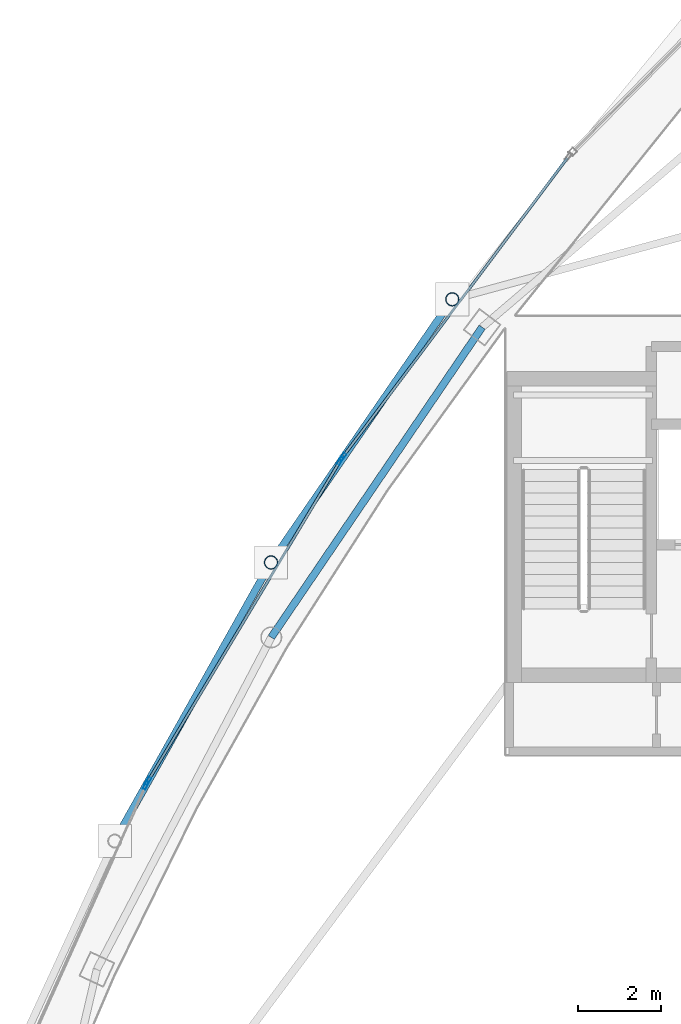
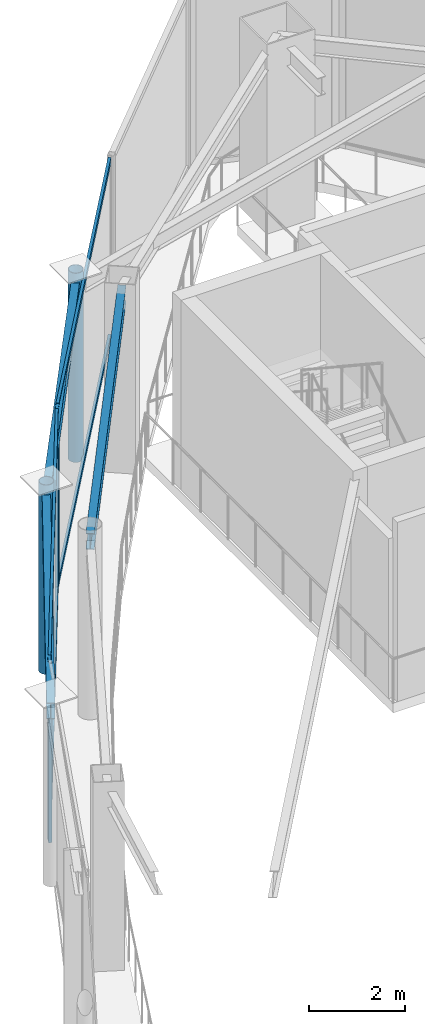
# One storey, part 8 of 19: 10 members, 3 beams, 3 elements without a shape of their own.
"""IFC4 building model written with IfcOpenShell, lengths in metres."""

from ifc_helpers import new_model, si_unit, direction, frame, origin, origin_2d, place, context, subcontext, project, spatial, hollow_rectangle, hollow_circle, i_section, extrude, material, layer, layer_set, material_profile, profile_set, type_object, element, aggregate, save


model = new_model("IFC4")

# Units and contexts
model_context = context("Model", 3, precision=1e-05, world=origin(), true_north=direction((0.0, 1.0)))
body_context = subcontext(model_context, "Body", "Model", "MODEL_VIEW")
ifc_project = project(units=[si_unit("LENGTHUNIT", "METRE"), si_unit("AREAUNIT", "SQUARE_METRE"), si_unit("VOLUMEUNIT", "CUBIC_METRE"), si_unit("PLANEANGLEUNIT", "RADIAN"), si_unit("MASSUNIT", "GRAM", prefix="KILO")], contexts=[model_context])

# Site, building, storey
site_placement = place(None, origin())
site = spatial("IfcSite", under=ifc_project, at=site_placement, CompositionType="ELEMENT")
building_placement = place(site_placement, origin())
building = spatial("IfcBuilding", under=site, at=building_placement, Name="Orvanel Arch Residences", CompositionType="ELEMENT")
storey_placement = place(building_placement, frame((0.0, 0.0, 290.89990234375)))
storey = spatial("IfcBuildingStorey", under=building, at=storey_placement, Name="L82", CompositionType="ELEMENT", Elevation=290.89990234375)

# Curtain wall, member
ifc_material_1 = material(Name="Bronze-anodised aluminium AA6063-T6", Category="aluminium")
ifc_layer = layer(ifc_material_1, 0.2099609375)
ifc_layer_set = layer_set([ifc_layer], Name="Bronze-anodised aluminium AA6063-T6")
curtain_wall_type = type_object("IfcCurtainWallType", Name="CW7-TOP-SYS", PredefinedType="NOTDEFINED", material=ifc_layer_set)
curtain_wall_1_placement = place(storey_placement, origin())
curtain_wall_1 = element("IfcCurtainWall", 1, at=curtain_wall_1_placement, inside=storey, type_object=curtain_wall_type, Name="L82 CW7-TOP-SYS Unitised Curtain Wall", PredefinedType="NOTDEFINED")
ifc_material_profile_1 = material_profile(ifc_material_1, hollow_rectangle(XDim=0.074951171875, YDim=0.199951171875, WallThickness=0.0048828125, at=origin_2d()), Name="ALU200x75x5")
ifc_profile_set_1 = profile_set([ifc_material_profile_1], Name="Bronze-anodised aluminium AA6063-T6")
member_type_1 = type_object("IfcMemberType", Name="MUL-200x75", PredefinedType="MULLION", material=ifc_profile_set_1)
member_1_placement = place(storey_placement, frame((22.29052734375, 31.988037109375, 0.0), z_axis=(0.0, 0.0, 1.0), x_axis=(0.799341985759, -0.600876351509, 0.0)))
member_1 = element("IfcMember", 2, at=member_1_placement, type_object=member_type_1, Name="CW-S7 mullion 2", PredefinedType="MULLION", context=body_context, shape_type="SweptSolid", body=[
    extrude(hollow_rectangle(XDim=0.074951171875, YDim=0.199951171875, WallThickness=0.0048828125, at=origin_2d()), origin(), (0.0, 0.0, 1.0), 4.550048828125),
])

# Curtain wall, members
curtain_wall_2_placement = place(storey_placement, origin())
curtain_wall_2 = element("IfcCurtainWall", 3, at=curtain_wall_2_placement, inside=storey, type_object=curtain_wall_type, Name="L82 CW7-TOP-SYS Unitised Curtain Wall", PredefinedType="NOTDEFINED")
member_2_placement = place(storey_placement, frame((22.226806640625, 31.892822265625, 0.0), z_axis=(0.0, 0.0, 1.0), x_axis=(0.857522096821, -0.514447133788, 0.0)))
member_2 = element("IfcMember", 4, at=member_2_placement, type_object=member_type_1, Name="CW-S7 mullion 1", PredefinedType="MULLION", context=body_context, shape_type="SweptSolid", body=[
    extrude(hollow_rectangle(XDim=0.074951171875, YDim=0.199951171875, WallThickness=0.0048828125, at=origin_2d()), origin(), (0.0, 0.0, 1.0), 4.550048828125),
])
member_3_placement = place(storey_placement, frame((17.597412109375, 24.17626953125, 0.0), z_axis=(0.0, 0.0, 1.0), x_axis=(0.857522096821, -0.514447133788, 0.0)))
member_3 = element("IfcMember", 5, at=member_3_placement, type_object=member_type_1, Name="CW-S7 mullion 2", PredefinedType="MULLION", context=body_context, shape_type="SweptSolid", body=[
    extrude(hollow_rectangle(XDim=0.074951171875, YDim=0.199951171875, WallThickness=0.0048828125, at=origin_2d()), origin(), (0.0, 0.0, 1.0), 4.550048828125),
])

# Curtain wall, member
curtain_wall_3_placement = place(storey_placement, origin())
curtain_wall_3 = element("IfcCurtainWall", 6, at=curtain_wall_3_placement, inside=storey, type_object=curtain_wall_type, Name="L82 CW7-TOP-SYS Unitised Curtain Wall", PredefinedType="NOTDEFINED")
member_4_placement = place(storey_placement, frame((17.544677734375, 24.07470703125, 0.0), z_axis=(0.0, 0.0, 1.0), x_axis=(0.912376147447, -0.40935286193, 0.0)))
member_4 = element("IfcMember", 7, at=member_4_placement, type_object=member_type_1, Name="CW-S7 mullion 1", PredefinedType="MULLION", context=body_context, shape_type="SweptSolid", body=[
    extrude(hollow_rectangle(XDim=0.074951171875, YDim=0.199951171875, WallThickness=0.0048828125, at=origin_2d()), origin(), (0.0, 0.0, 1.0), 4.550048828125),
])
aggregate(curtain_wall_3, [member_4])

# Beams
ifc_material_2 = material(Name="Structural steel AS/NZS 3679.1 Grade 300 (300 MPa)", Category="steel")
ifc_material_profile_2 = material_profile(ifc_material_2, i_section(OverallWidth=0.177978515625, OverallDepth=0.406005859375, WebThickness=0.0078125, FlangeThickness=0.0126953125, at=origin_2d()), Name="410UB59.7")
ifc_profile_set_2 = profile_set([ifc_material_profile_2], Name="Structural steel AS/NZS 3679.1 Grade 300 (300 MPa)")
beam_type_1 = type_object("IfcBeamType", Name="OB-410UB", PredefinedType="SPANDREL", material=ifc_profile_set_2)
beam_1_placement = place(storey_placement, frame((25.64794921875, 35.113037109375, 4.34716796875), z_axis=(-0.562154793153, -0.827032035978, 0.0), x_axis=(0.827032035978, -0.562154793153, 0.0)))
element("IfcBeam", 8, at=beam_1_placement, inside=storey, type_object=beam_type_1, Name="L82 Perimeter Spandrel Beam 11", PredefinedType="SPANDREL", context=body_context, shape_type="SweptSolid", body=[
    extrude(i_section(OverallWidth=0.177978515625, OverallDepth=0.406005859375, WebThickness=0.0078125, FlangeThickness=0.0126953125, at=origin_2d()), origin(), (0.0, 0.0, 1.0), 9.03466796875),
])
ifc_material_profile_3 = material_profile(ifc_material_2, i_section(OverallWidth=0.177978515625, OverallDepth=0.406005859375, WebThickness=0.0078125, FlangeThickness=0.0126953125, at=origin_2d()), Name="410UB59.7")
ifc_profile_set_3 = profile_set([ifc_material_profile_3], Name="Structural steel AS/NZS 3679.1 Grade 300 (300 MPa)")
beam_type_2 = type_object("IfcBeamType", Name="OB-410UB-EXT", PredefinedType="SPANDREL", material=ifc_profile_set_3)
beam_2_placement = place(storey_placement, frame((24.929931640625, 35.785888671875, 4.34716796875), z_axis=(-0.567346812798, -0.823478957842, 0.0), x_axis=(0.823478957842, -0.567346812798, 0.0)))
element("IfcBeam", 9, at=beam_2_placement, inside=storey, type_object=beam_type_2, Name="L82 Outer Perimeter Floor Ring Beam 01", PredefinedType="SPANDREL", context=body_context, shape_type="SweptSolid", body=[
    extrude(i_section(OverallWidth=0.177978515625, OverallDepth=0.406005859375, WebThickness=0.0078125, FlangeThickness=0.0126953125, at=origin_2d()), origin(), (0.0, 0.0, 1.0), 7.698974609375),
])
beam_3_placement = place(storey_placement, frame((20.56201171875, 29.446044921875, 4.34716796875), z_axis=(-0.489422203707, -0.872046963482, 0.0), x_axis=(0.872046963482, -0.489422203707, 0.0)))
element("IfcBeam", 10, at=beam_3_placement, inside=storey, type_object=beam_type_2, Name="L82 Outer Perimeter Floor Ring Beam 02", PredefinedType="SPANDREL", context=body_context, shape_type="SweptSolid", body=[
    extrude(i_section(OverallWidth=0.177978515625, OverallDepth=0.406005859375, WebThickness=0.0078125, FlangeThickness=0.0126953125, at=origin_2d()), origin(), (0.0, 0.0, 1.0), 7.697021484375),
])

# Members
ifc_material_3 = material(Name="Structural steel AS/NZS 1163 C350L0 (Grade 350)", Category="steel")
ifc_material_profile_4 = material_profile(ifc_material_3, hollow_circle(Radius=0.162109375, WallThickness=0.0126953125, at=origin_2d()), Name="CHS324x12.7")
ifc_profile_set_4 = profile_set([ifc_material_profile_4], Name="Structural steel AS/NZS 1163 C350L0 (Grade 350)")
member_type_2 = type_object("IfcMemberType", Name="ST-324CHS-EXT", PredefinedType="STRUT", material=ifc_profile_set_4)
for number, where, z_axis, x_axis, name in (
    (11, (24.929931640625, 35.785888671875, 0.0), (0.0, 0.0, 1.0), (1.0, 0.0, 0.0), "L82 Outer Perimeter Frame Post 01"),
    (12, (20.56201171875, 29.446044921875, 0.0), (0.0, 0.0, 1.0), (1.0, 0.0, 0.0), "L82 Outer Perimeter Frame Post 02"),
):
    element("IfcMember", number, at=place(storey_placement, frame(where, z_axis=z_axis, x_axis=x_axis)), inside=storey, type_object=member_type_2, Name=name, PredefinedType="STRUT", context=body_context, shape_type="SweptSolid", body=[
        extrude(hollow_circle(Radius=0.162109375, WallThickness=0.0126953125, at=origin_2d()), origin(), (0.0, 0.0, 1.0), 4.800048828125),
    ])

# Member
ifc_material_profile_5 = material_profile(ifc_material_1, hollow_rectangle(XDim=0.06494140625, YDim=0.14990234375, WallThickness=0.00390625, at=origin_2d()), Name="ALU150x65x4")
ifc_profile_set_5 = profile_set([ifc_material_profile_5], Name="Bronze-anodised aluminium AA6063-T6")
member_type_3 = type_object("IfcMemberType", Name="TRN-150x65", PredefinedType="USERDEFINED", material=ifc_profile_set_5)
member_5_placement = place(storey_placement, frame((27.7060546875, 39.192138671875, 0.03271484375), z_axis=(-0.600891851957, -0.799330333624, 0.0), x_axis=(0.799330333624, -0.600891851957, 0.0)))
member_5 = element("IfcMember", 13, at=member_5_placement, type_object=member_type_3, Name="CW-S7 transom 1.1", ObjectType="TRANSOM", PredefinedType="USERDEFINED", context=body_context, shape_type="SweptSolid", body=[
    extrude(hollow_rectangle(XDim=0.06494140625, YDim=0.14990234375, WallThickness=0.00390625, at=origin_2d()), origin(), (0.0, 0.0, 1.0), 8.97509765625),
])

member_6_placement = place(storey_placement, frame((27.7060546875, 39.192138671875, 4.517578125), z_axis=(-0.600891851957, -0.799330333624, 0.0), x_axis=(0.799330333624, -0.600891851957, 0.0)))
member_6 = element("IfcMember", 14, at=member_6_placement, type_object=member_type_3, Name="CW-S7 transom 1.2", ObjectType="TRANSOM", PredefinedType="USERDEFINED", context=body_context, shape_type="SweptSolid", body=[
    extrude(hollow_rectangle(XDim=0.06494140625, YDim=0.14990234375, WallThickness=0.00390625, at=origin_2d()), origin(), (0.0, 0.0, 1.0), 8.97509765625),
])

aggregate(curtain_wall_1, [member_1, member_5, member_6])

member_7_placement = place(storey_placement, frame((22.20751953125, 31.860595703125, 0.03271484375), z_axis=(-0.514447475071, -0.857521892078, 0.0), x_axis=(0.857521892078, -0.514447475071, 0.0)))
member_7 = element("IfcMember", 15, at=member_7_placement, type_object=member_type_3, Name="CW-S7 transom 1.1", ObjectType="TRANSOM", PredefinedType="USERDEFINED", context=body_context, shape_type="SweptSolid", body=[
    extrude(hollow_rectangle(XDim=0.06494140625, YDim=0.14990234375, WallThickness=0.00390625, at=origin_2d()), origin(), (0.0, 0.0, 1.0), 8.923828125),
])

member_8_placement = place(storey_placement, frame((22.20751953125, 31.860595703125, 4.517578125), z_axis=(-0.514447475071, -0.857521892078, 0.0), x_axis=(0.857521892078, -0.514447475071, 0.0)))
member_8 = element("IfcMember", 16, at=member_8_placement, type_object=member_type_3, Name="CW-S7 transom 1.2", ObjectType="TRANSOM", PredefinedType="USERDEFINED", context=body_context, shape_type="SweptSolid", body=[
    extrude(hollow_rectangle(XDim=0.06494140625, YDim=0.14990234375, WallThickness=0.00390625, at=origin_2d()), origin(), (0.0, 0.0, 1.0), 8.923828125),
])

aggregate(curtain_wall_2, [member_2, member_3, member_7, member_8])

save(model, "model.ifc")
